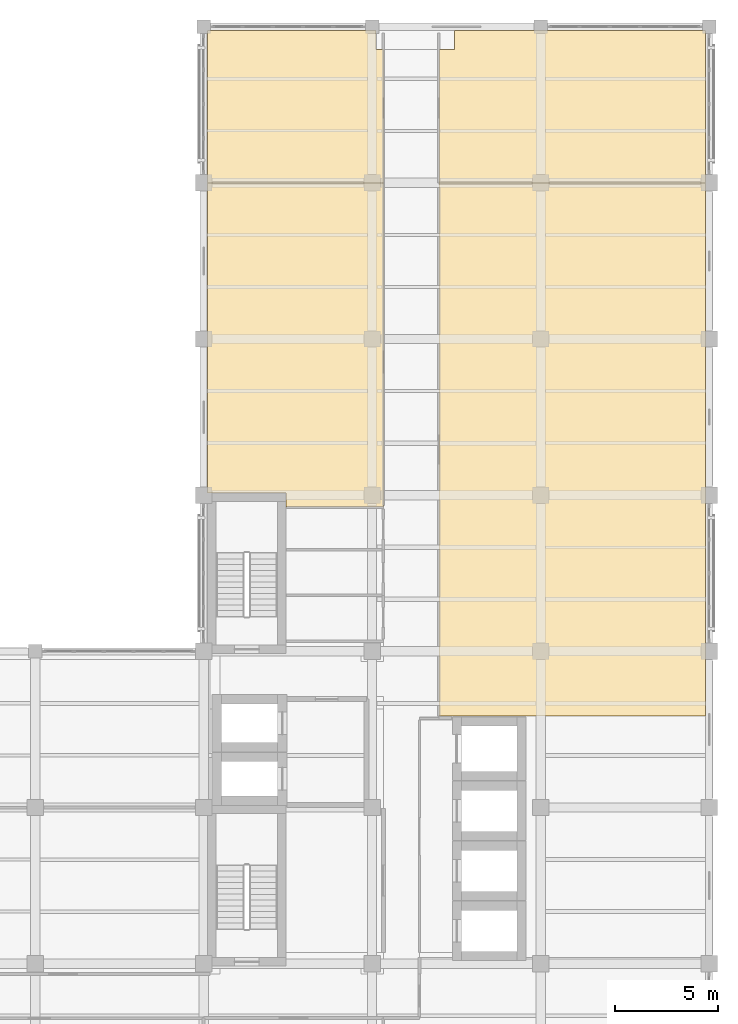
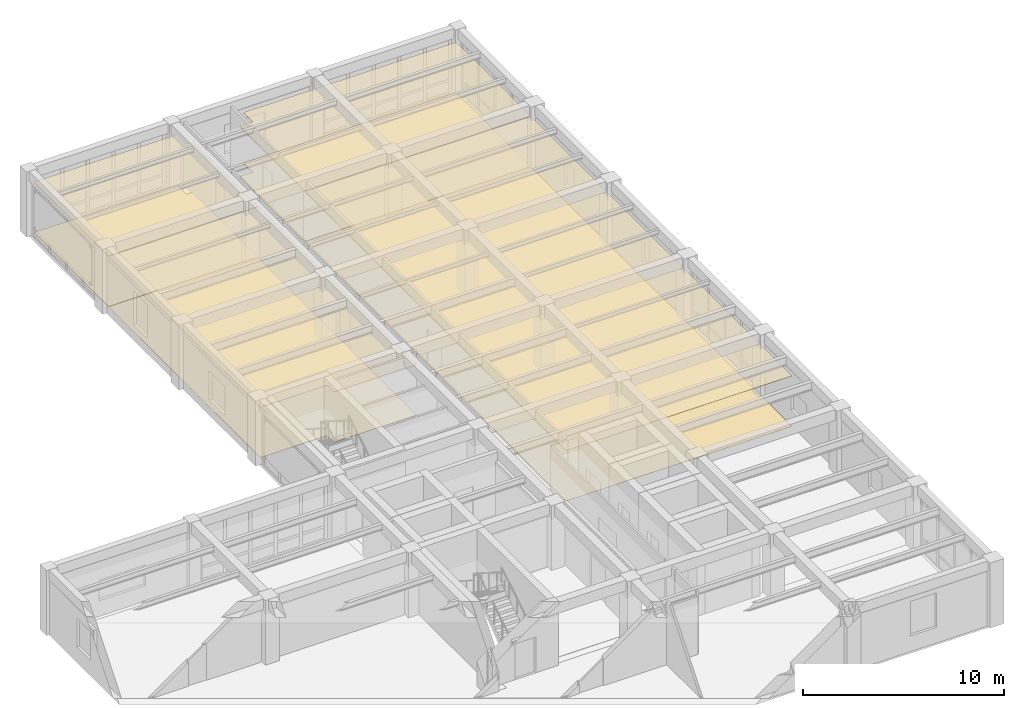
# One storey, part 14 of 14: 8 coverings.
"""IFC4 building model written with IfcOpenShell, lengths in metres."""

from ifc_helpers import new_model, si_unit, direction, frame, origin, place, context, subcontext, project, spatial, polyline, outline, extrude, material, layer, layer_set, type_object, element, save


model = new_model("IFC4")

# Units and contexts
model_context = context("Model", 3, precision=1e-05, world=origin(), true_north=direction((0.0, 1.0)))
body_context = subcontext(model_context, "Body", "Model", "MODEL_VIEW")
ifc_project = project(units=[si_unit("LENGTHUNIT", "METRE"), si_unit("AREAUNIT", "SQUARE_METRE"), si_unit("VOLUMEUNIT", "CUBIC_METRE"), si_unit("PLANEANGLEUNIT", "RADIAN"), si_unit("MASSUNIT", "GRAM", prefix="KILO")], contexts=[model_context])

# Site, building, storey
site_placement = place(None, origin())
site = spatial("IfcSite", under=ifc_project, at=site_placement, CompositionType="ELEMENT")
building_placement = place(site_placement, origin())
building = spatial("IfcBuilding", under=site, at=building_placement, Name="Qandaris Square Conservatory and Botanical Centre", CompositionType="ELEMENT")
storey_placement = place(building_placement, frame((0.0, 0.0, 40.800048828125)))
storey = spatial("IfcBuildingStorey", under=building, at=storey_placement, Name="L09", CompositionType="ELEMENT", Elevation=40.800048828125)

# Coverings
ifc_material_1 = material(Name="Honed Qatari Limestone", Category="masonry")
ifc_layer_1 = layer(ifc_material_1, 0.030029296875)
ifc_layer_set_1 = layer_set([ifc_layer_1], Name="Honed Qatari Limestone")
covering_type_1 = type_object("IfcCoveringType", Name="Honed Qatari Limestone Concourse Paving", PredefinedType="FLOORING", material=ifc_layer_set_1)
covering_1_placement = place(storey_placement, origin())
element("IfcCovering", 1, at=covering_1_placement, inside=storey, type_object=covering_type_1, Name="Phenomics Imaging Collaborative Seminar Room Flooring", PredefinedType="FLOORING", context=body_context, shape_type="SweptSolid", body=[
    extrude(outline(polyline([(147.949951171875, 62.199951171875), (139.3798828125, 62.199951171875), (139.3798828125, 69.6201171875), (147.60009765625, 69.6201171875), (147.60009765625, 68.699951171875), (147.949951171875, 68.699951171875), (147.949951171875, 62.199951171875)])), origin(), (0.0, 0.0, 1.0), 0.030029296875),
])
covering_2_placement = place(storey_placement, origin())
element("IfcCovering", 2, at=covering_2_placement, inside=storey, type_object=covering_type_1, Name="Floor L09 Staff Write-Up Lounge Flooring", PredefinedType="FLOORING", context=body_context, shape_type="SweptSolid", body=[
    extrude(outline(polyline([(150.64990234375, 62.199951171875), (150.64990234375, 68.699951171875), (151.39990234375, 68.699951171875), (151.39990234375, 69.6201171875), (163.6201171875, 69.6201171875), (163.6201171875, 62.199951171875), (150.64990234375, 62.199951171875)])), origin(), (0.0, 0.0, 1.0), 0.030029296875),
])
ifc_material_2 = material(Name="Gypsum Plasterboard", Category="gypsum")
ifc_layer_2 = layer(ifc_material_2, 0.02490234375)
ifc_layer_set_2 = layer_set([ifc_layer_2], Name="Gypsum Plasterboard")
covering_type_2 = type_object("IfcCoveringType", Name="Perforated Acoustic Lab Ceiling Tile", PredefinedType="CEILING", material=ifc_layer_set_2)
covering_3_placement = place(storey_placement, frame((0.0, 0.0, 3.050048828125)))
element("IfcCovering", 3, at=covering_3_placement, inside=storey, type_object=covering_type_2, Name="Mangrove Restoration Analytical Laboratory Ceiling", PredefinedType="CEILING", context=body_context, shape_type="SweptSolid", body=[
    extrude(outline(polyline([(150.64990234375, 62.199951171875), (163.6201171875, 62.199951171875), (163.6201171875, 36.25), (150.64990234375, 36.25), (150.64990234375, 62.199951171875)])), origin(), (0.0, 0.0, 1.0), 0.02490234375),
])
covering_4_placement = place(storey_placement, frame((0.0, 0.0, 3.050048828125)))
element("IfcCovering", 4, at=covering_4_placement, inside=storey, type_object=covering_type_2, Name="Thermal Adaptation Specimen Prep Room Ceiling", PredefinedType="CEILING", context=body_context, shape_type="SweptSolid", body=[
    extrude(outline(polyline([(147.949951171875, 46.419921875), (143.199951171875, 46.419921875), (143.199951171875, 47.10009765625), (139.39990234375, 47.10009765625), (139.39990234375, 46.419921875), (139.3798828125, 46.419921875), (139.3798828125, 62.199951171875), (147.949951171875, 62.199951171875), (147.949951171875, 46.419921875)])), origin(), (0.0, 0.0, 1.0), 0.02490234375),
])
ifc_material_3 = material(Name="Epoxy Resin Screed", Category="finish")
ifc_layer_3 = layer(ifc_material_3, 0.014892578125)
ifc_layer_set_3 = layer_set([ifc_layer_3], Name="Epoxy Resin Screed")
covering_type_3 = type_object("IfcCoveringType", Name="Seamless Epoxy Laboratory Flooring", PredefinedType="FLOORING", material=ifc_layer_set_3)
covering_5_placement = place(storey_placement, origin())
element("IfcCovering", 5, at=covering_5_placement, inside=storey, type_object=covering_type_3, Name="Mangrove Restoration Analytical Laboratory Flooring", PredefinedType="FLOORING", context=body_context, shape_type="SweptSolid", body=[
    extrude(outline(polyline([(150.64990234375, 62.199951171875), (163.6201171875, 62.199951171875), (163.6201171875, 36.25), (150.64990234375, 36.25), (150.64990234375, 62.199951171875)])), origin(), (0.0, 0.0, 1.0), 0.014892578125),
])
covering_6_placement = place(storey_placement, origin())
element("IfcCovering", 6, at=covering_6_placement, inside=storey, type_object=covering_type_3, Name="Thermal Adaptation Specimen Prep Room Flooring", PredefinedType="FLOORING", context=body_context, shape_type="SweptSolid", body=[
    extrude(outline(polyline([(147.949951171875, 46.419921875), (143.199951171875, 46.419921875), (143.199951171875, 47.10009765625), (139.39990234375, 47.10009765625), (139.39990234375, 46.419921875), (139.3798828125, 46.419921875), (139.3798828125, 62.199951171875), (147.949951171875, 62.199951171875), (147.949951171875, 46.419921875)])), origin(), (0.0, 0.0, 1.0), 0.014892578125),
])
ifc_material_4 = material(Name="Engineered Oak Timber", Category="wood")
ifc_layer_4 = layer(ifc_material_4, 0.0400390625)
ifc_layer_set_4 = layer_set([ifc_layer_4], Name="Engineered Oak Timber")
covering_type_4 = type_object("IfcCoveringType", Name="Slatted Oak Acoustic Gallery Ceiling", PredefinedType="CEILING", material=ifc_layer_set_4)
covering_7_placement = place(storey_placement, frame((0.0, 0.0, 3.050048828125)))
element("IfcCovering", 7, at=covering_7_placement, inside=storey, type_object=covering_type_4, Name="Phenomics Imaging Collaborative Seminar Room Ceiling", PredefinedType="CEILING", context=body_context, shape_type="SweptSolid", body=[
    extrude(outline(polyline([(147.949951171875, 62.199951171875), (139.3798828125, 62.199951171875), (139.3798828125, 69.6201171875), (147.60009765625, 69.6201171875), (147.60009765625, 68.699951171875), (147.949951171875, 68.699951171875), (147.949951171875, 62.199951171875)])), origin(), (0.0, 0.0, 1.0), 0.039794921875),
])
covering_8_placement = place(storey_placement, frame((0.0, 0.0, 3.050048828125)))
element("IfcCovering", 8, at=covering_8_placement, inside=storey, type_object=covering_type_4, Name="Floor L09 Staff Write-Up Lounge Ceiling", PredefinedType="CEILING", context=body_context, shape_type="SweptSolid", body=[
    extrude(outline(polyline([(150.64990234375, 62.199951171875), (150.64990234375, 68.699951171875), (151.39990234375, 68.699951171875), (151.39990234375, 69.6201171875), (163.6201171875, 69.6201171875), (163.6201171875, 62.199951171875), (150.64990234375, 62.199951171875)])), origin(), (0.0, 0.0, 1.0), 0.039794921875),
])

save(model, "model.ifc")
